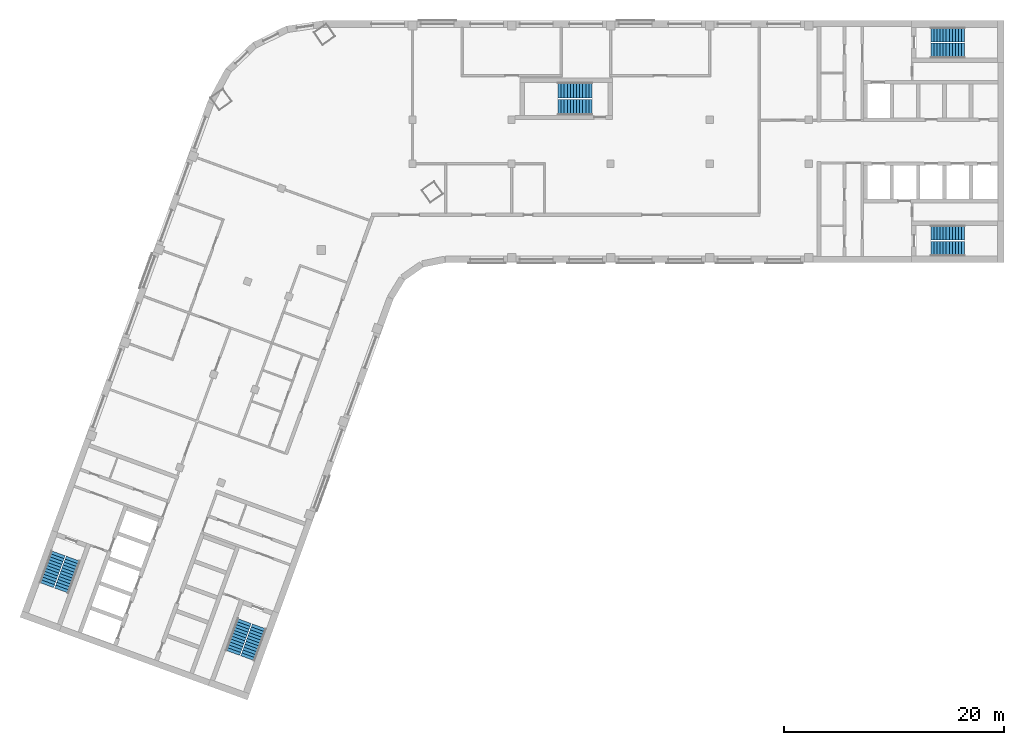
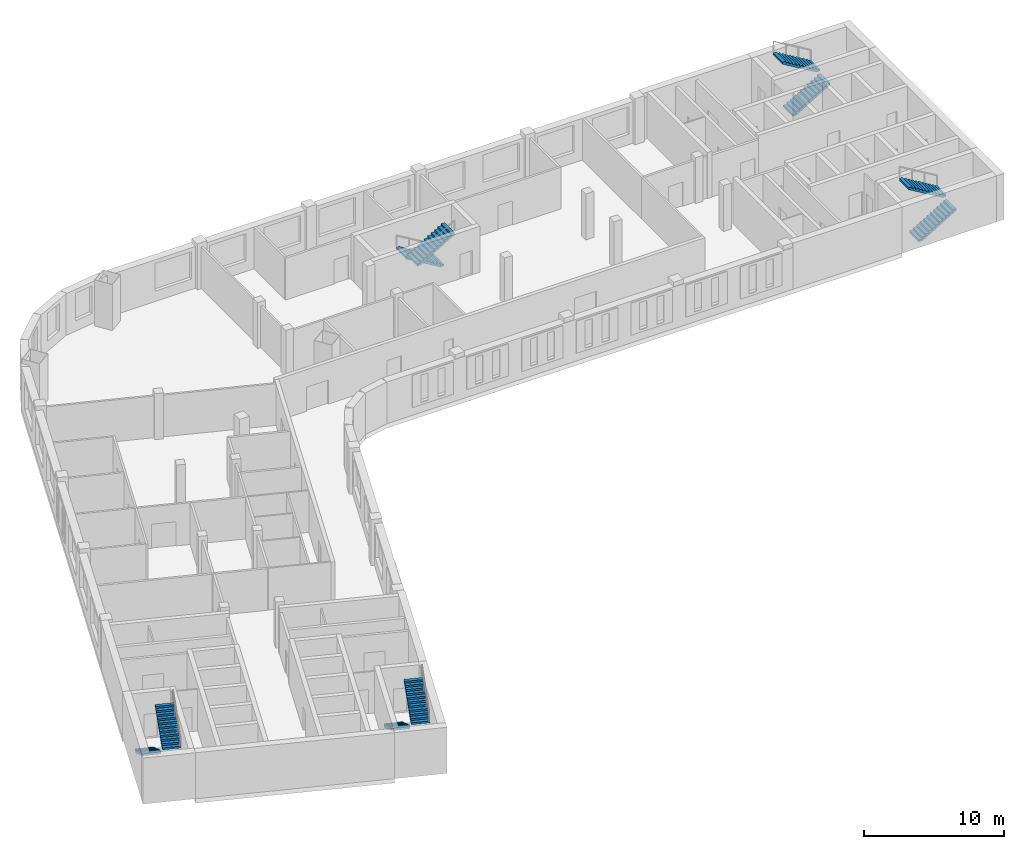
# One storey, part 7 of 8: 10 stair flights, 5 elements without a shape of their own.
"""IFC4 building model written with IfcOpenShell, lengths in metres."""

from ifc_helpers import new_model, si_unit, direction, frame, origin, place, context, subcontext, project, spatial, polyline, outline, extrude, material, type_object, element, aggregate, save


model = new_model("IFC4")

# Units and contexts
model_context = context("Model", 3, precision=1e-05, world=origin(), true_north=direction((0.0, 1.0)))
body_context = subcontext(model_context, "Body", "Model", "MODEL_VIEW")
ifc_project = project(units=[si_unit("LENGTHUNIT", "METRE"), si_unit("AREAUNIT", "SQUARE_METRE"), si_unit("VOLUMEUNIT", "CUBIC_METRE"), si_unit("PLANEANGLEUNIT", "RADIAN"), si_unit("MASSUNIT", "GRAM", prefix="KILO")], contexts=[model_context])

# Site, building, storey
site_placement = place(None, origin())
site = spatial("IfcSite", under=ifc_project, at=site_placement, CompositionType="ELEMENT")
building_placement = place(site_placement, origin())
building = spatial("IfcBuilding", under=site, at=building_placement, Name="Skarvind Civic Tower", CompositionType="ELEMENT")
storey_placement = place(building_placement, frame((0.0, 0.0, 170.5)))
storey = spatial("IfcBuildingStorey", under=building, at=storey_placement, Name="L40", CompositionType="ELEMENT", Elevation=170.5)

# Stair, stair flights
ifc_material = material(Name="Concrete C40/50", Category="concrete")
stair_type_1 = type_object("IfcStairType", Name="Exit stair 1450, half-turn, concrete", PredefinedType="HALF_TURN_STAIR", material=ifc_material)
stair_1_placement = place(storey_placement, origin())
stair_1 = element("IfcStair", 1, at=stair_1_placement, inside=storey, type_object=stair_type_1, Name="Exit stair CM", PredefinedType="HALF_TURN_STAIR")
stair_flight_type_1 = type_object("IfcStairFlightType", Name="Stair flight 1450, concrete", PredefinedType="STRAIGHT", material=ifc_material)
stair_flight_1_placement = place(storey_placement, frame((70.550048828125, 132.675048828125, 0.0), z_axis=(0.0, 0.0, 1.0), x_axis=(-1.0, 0.0, 0.0)))
stair_flight_1 = element("IfcStairFlight", 2, at=stair_flight_1_placement, type_object=stair_flight_type_1, Name="ST-CM flight 1", NumberOfRisers=12, NumberOfTreads=11, PredefinedType="STRAIGHT", RiserHeight=0.166666667, TreadLength=0.28, context=body_context, shape_type="SweptSolid", body=[
    extrude(outline(polyline([(0.0, 0.0), (0.0, 0.166748046875), (0.280029296875, 0.166748046875), (0.280029296875, 0.333251953125), (0.56005859375, 0.333251953125), (0.56005859375, 0.5), (0.840087890625, 0.5), (0.840087890625, 0.666748046875), (1.1201171875, 0.666748046875), (1.1201171875, 0.833251953125), (1.39990234375, 0.833251953125), (1.39990234375, 1.0), (1.679931640625, 1.0), (1.679931640625, 1.166748046875), (1.9599609375, 1.166748046875), (1.9599609375, 1.333251953125), (2.239990234375, 1.333251953125), (2.239990234375, 1.5), (2.52001953125, 1.5), (2.52001953125, 1.666748046875), (2.800048828125, 1.666748046875), (2.800048828125, 1.833251953125), (3.080078125, 1.833251953125), (3.080078125, 2.0), (3.080078125, 1.658935546875), (0.29296875, 0.0), (0.0, 0.0)])), frame((0.0, 0.72509765625, 0.0), z_axis=(0.0, -1.0, 0.0), x_axis=(1.0, 0.0, 0.0)), (0.0, 0.0, 1.0), 1.449951171875),
])
stair_flight_2_placement = place(storey_placement, frame((67.469970703125, 131.125, 2.0), z_axis=(0.0, 0.0, 1.0), x_axis=(1.0, 0.0, 0.0)))
stair_flight_2 = element("IfcStairFlight", 3, at=stair_flight_2_placement, type_object=stair_flight_type_1, Name="ST-CM flight 2", NumberOfRisers=12, NumberOfTreads=11, PredefinedType="STRAIGHT", RiserHeight=0.166666667, TreadLength=0.28, context=body_context, shape_type="SweptSolid", body=[
    extrude(outline(polyline([(0.0, 0.0), (0.0, 0.166748046875), (0.280029296875, 0.166748046875), (0.280029296875, 0.333251953125), (0.56005859375, 0.333251953125), (0.56005859375, 0.5), (0.840087890625, 0.5), (0.840087890625, 0.666748046875), (1.1201171875, 0.666748046875), (1.1201171875, 0.833251953125), (1.39990234375, 0.833251953125), (1.39990234375, 1.0), (1.679931640625, 1.0), (1.679931640625, 1.166748046875), (1.9599609375, 1.166748046875), (1.9599609375, 1.333251953125), (2.239990234375, 1.333251953125), (2.239990234375, 1.5), (2.52001953125, 1.5), (2.52001953125, 1.666748046875), (2.800048828125, 1.666748046875), (2.800048828125, 1.833251953125), (3.080078125, 1.833251953125), (3.080078125, 2.0), (3.080078125, 1.658935546875), (0.29296875, 0.0), (0.0, 0.0)])), frame((0.0, 0.72509765625, 0.0), z_axis=(0.0, -1.0, 0.0), x_axis=(1.0, 0.0, 0.0)), (0.0, 0.0, 1.0), 1.449951171875),
])
aggregate(stair_1, [stair_flight_1, stair_flight_2])

stair_type_2 = type_object("IfcStairType", Name="Exit stair, half-turn, concrete", PredefinedType="HALF_TURN_STAIR", material=ifc_material)
stair_2_placement = place(storey_placement, origin())
stair_2 = element("IfcStair", 4, at=stair_2_placement, inside=storey, type_object=stair_type_2, Name="Exit stair C1S", PredefinedType="HALF_TURN_STAIR")
stair_flight_type_2 = type_object("IfcStairFlightType", Name="Stair flight, concrete", PredefinedType="STRAIGHT", material=ifc_material)
stair_flight_3_placement = place(storey_placement, frame((101.35009765625, 136.27490234375, 0.0), z_axis=(0.0, 0.0, 1.0), x_axis=(1.0, 0.0, 0.0)))
stair_flight_3 = element("IfcStairFlight", 5, at=stair_flight_3_placement, type_object=stair_flight_type_2, Name="ST-C1S flight 1", NumberOfRisers=12, NumberOfTreads=11, PredefinedType="STRAIGHT", RiserHeight=0.166666667, TreadLength=0.28, context=body_context, shape_type="SweptSolid", body=[
    extrude(outline(polyline([(0.0, 0.0), (0.0, 0.166748046875), (0.280029296875, 0.166748046875), (0.280029296875, 0.333251953125), (0.56005859375, 0.333251953125), (0.56005859375, 0.5), (0.840087890625, 0.5), (0.840087890625, 0.666748046875), (1.1201171875, 0.666748046875), (1.1201171875, 0.833251953125), (1.39990234375, 0.833251953125), (1.39990234375, 1.0), (1.679931640625, 1.0), (1.679931640625, 1.166748046875), (1.9599609375, 1.166748046875), (1.9599609375, 1.333251953125), (2.239990234375, 1.333251953125), (2.239990234375, 1.5), (2.52001953125, 1.5), (2.52001953125, 1.666748046875), (2.800048828125, 1.666748046875), (2.800048828125, 1.833251953125), (3.080078125, 1.833251953125), (3.080078125, 2.0), (3.080078125, 1.658935546875), (0.29296875, 0.0), (0.0, 0.0)])), frame((0.0, 0.675048828125, 0.0), z_axis=(0.0, -1.0, 0.0), x_axis=(1.0, 0.0, 0.0)), (0.0, 0.0, 1.0), 1.35009765625),
])
stair_flight_4_placement = place(storey_placement, frame((104.429931640625, 137.72509765625, 2.0), z_axis=(0.0, 0.0, 1.0), x_axis=(-1.0, 0.0, 0.0)))
stair_flight_4 = element("IfcStairFlight", 6, at=stair_flight_4_placement, type_object=stair_flight_type_2, Name="ST-C1S flight 2", NumberOfRisers=12, NumberOfTreads=11, PredefinedType="STRAIGHT", RiserHeight=0.166666667, TreadLength=0.28, context=body_context, shape_type="SweptSolid", body=[
    extrude(outline(polyline([(0.0, 0.0), (0.0, 0.166748046875), (0.280029296875, 0.166748046875), (0.280029296875, 0.333251953125), (0.56005859375, 0.333251953125), (0.56005859375, 0.5), (0.840087890625, 0.5), (0.840087890625, 0.666748046875), (1.1201171875, 0.666748046875), (1.1201171875, 0.833251953125), (1.39990234375, 0.833251953125), (1.39990234375, 1.0), (1.679931640625, 1.0), (1.679931640625, 1.166748046875), (1.9599609375, 1.166748046875), (1.9599609375, 1.333251953125), (2.239990234375, 1.333251953125), (2.239990234375, 1.5), (2.52001953125, 1.5), (2.52001953125, 1.666748046875), (2.800048828125, 1.666748046875), (2.800048828125, 1.833251953125), (3.080078125, 1.833251953125), (3.080078125, 2.0), (3.080078125, 1.658935546875), (0.29296875, 0.0), (0.0, 0.0)])), frame((0.0, 0.675048828125, 0.0), z_axis=(0.0, -1.0, 0.0), x_axis=(1.0, 0.0, 0.0)), (0.0, 0.0, 1.0), 1.35009765625),
])
aggregate(stair_2, [stair_flight_3, stair_flight_4])

stair_3_placement = place(storey_placement, origin())
stair_3 = element("IfcStair", 7, at=stair_3_placement, inside=storey, type_object=stair_type_2, Name="Exit stair C1N", PredefinedType="HALF_TURN_STAIR")
stair_flight_5_placement = place(storey_placement, frame((101.35009765625, 118.27490234375, 0.0), z_axis=(0.0, 0.0, 1.0), x_axis=(1.0, 0.0, 0.0)))
stair_flight_5 = element("IfcStairFlight", 8, at=stair_flight_5_placement, type_object=stair_flight_type_2, Name="ST-C1N flight 1", NumberOfRisers=12, NumberOfTreads=11, PredefinedType="STRAIGHT", RiserHeight=0.166666667, TreadLength=0.28, context=body_context, shape_type="SweptSolid", body=[
    extrude(outline(polyline([(0.0, 0.0), (0.0, 0.166748046875), (0.280029296875, 0.166748046875), (0.280029296875, 0.333251953125), (0.56005859375, 0.333251953125), (0.56005859375, 0.5), (0.840087890625, 0.5), (0.840087890625, 0.666748046875), (1.1201171875, 0.666748046875), (1.1201171875, 0.833251953125), (1.39990234375, 0.833251953125), (1.39990234375, 1.0), (1.679931640625, 1.0), (1.679931640625, 1.166748046875), (1.9599609375, 1.166748046875), (1.9599609375, 1.333251953125), (2.239990234375, 1.333251953125), (2.239990234375, 1.5), (2.52001953125, 1.5), (2.52001953125, 1.666748046875), (2.800048828125, 1.666748046875), (2.800048828125, 1.833251953125), (3.080078125, 1.833251953125), (3.080078125, 2.0), (3.080078125, 1.658935546875), (0.29296875, 0.0), (0.0, 0.0)])), frame((0.0, 0.675048828125, 0.0), z_axis=(0.0, -1.0, 0.0), x_axis=(1.0, 0.0, 0.0)), (0.0, 0.0, 1.0), 1.35009765625),
])
stair_flight_6_placement = place(storey_placement, frame((104.429931640625, 119.72509765625, 2.0), z_axis=(0.0, 0.0, 1.0), x_axis=(-1.0, 0.0, 0.0)))
stair_flight_6 = element("IfcStairFlight", 9, at=stair_flight_6_placement, type_object=stair_flight_type_2, Name="ST-C1N flight 2", NumberOfRisers=12, NumberOfTreads=11, PredefinedType="STRAIGHT", RiserHeight=0.166666667, TreadLength=0.28, context=body_context, shape_type="SweptSolid", body=[
    extrude(outline(polyline([(0.0, 0.0), (0.0, 0.166748046875), (0.280029296875, 0.166748046875), (0.280029296875, 0.333251953125), (0.56005859375, 0.333251953125), (0.56005859375, 0.5), (0.840087890625, 0.5), (0.840087890625, 0.666748046875), (1.1201171875, 0.666748046875), (1.1201171875, 0.833251953125), (1.39990234375, 0.833251953125), (1.39990234375, 1.0), (1.679931640625, 1.0), (1.679931640625, 1.166748046875), (1.9599609375, 1.166748046875), (1.9599609375, 1.333251953125), (2.239990234375, 1.333251953125), (2.239990234375, 1.5), (2.52001953125, 1.5), (2.52001953125, 1.666748046875), (2.800048828125, 1.666748046875), (2.800048828125, 1.833251953125), (3.080078125, 1.833251953125), (3.080078125, 2.0), (3.080078125, 1.658935546875), (0.29296875, 0.0), (0.0, 0.0)])), frame((0.0, 0.675048828125, 0.0), z_axis=(0.0, -1.0, 0.0), x_axis=(1.0, 0.0, 0.0)), (0.0, 0.0, 1.0), 1.35009765625),
])
aggregate(stair_3, [stair_flight_5, stair_flight_6])

stair_4_placement = place(storey_placement, origin())
stair_4 = element("IfcStair", 10, at=stair_4_placement, inside=storey, type_object=stair_type_2, Name="Exit stair C2S", PredefinedType="HALF_TURN_STAIR")
stair_flight_7_placement = place(storey_placement, frame((38.949462890625, 84.43408203125, 0.0), z_axis=(0.0, 0.0, 1.0), x_axis=(-0.342020143326, -0.939692620786, 0.0)))
stair_flight_7 = element("IfcStairFlight", 11, at=stair_flight_7_placement, type_object=stair_flight_type_2, Name="ST-C2S flight 1", NumberOfRisers=12, NumberOfTreads=11, PredefinedType="STRAIGHT", RiserHeight=0.166666667, TreadLength=0.28, context=body_context, shape_type="SweptSolid", body=[
    extrude(outline(polyline([(0.0, 0.0), (0.0, 0.166748046875), (0.280029296875, 0.166748046875), (0.280029296875, 0.333251953125), (0.56005859375, 0.333251953125), (0.56005859375, 0.5), (0.840087890625, 0.5), (0.840087890625, 0.666748046875), (1.1201171875, 0.666748046875), (1.1201171875, 0.833251953125), (1.39990234375, 0.833251953125), (1.39990234375, 1.0), (1.679931640625, 1.0), (1.679931640625, 1.166748046875), (1.9599609375, 1.166748046875), (1.9599609375, 1.333251953125), (2.239990234375, 1.333251953125), (2.239990234375, 1.5), (2.52001953125, 1.5), (2.52001953125, 1.666748046875), (2.800048828125, 1.666748046875), (2.800048828125, 1.833251953125), (3.080078125, 1.833251953125), (3.080078125, 2.0), (3.080078125, 1.658935546875), (0.29296875, 0.0), (0.0, 0.0)])), frame((0.0, 0.675048828125, 0.0), z_axis=(0.0, -1.0, 0.0), x_axis=(1.0, 0.0, 0.0)), (0.0, 0.0, 1.0), 1.35009765625),
])
stair_flight_8_placement = place(storey_placement, frame((39.258544921875, 81.0439453125, 2.0), z_axis=(0.0, 0.0, 1.0), x_axis=(0.342020143326, 0.939692620786, 0.0)))
stair_flight_8 = element("IfcStairFlight", 12, at=stair_flight_8_placement, type_object=stair_flight_type_2, Name="ST-C2S flight 2", NumberOfRisers=12, NumberOfTreads=11, PredefinedType="STRAIGHT", RiserHeight=0.166666667, TreadLength=0.28, context=body_context, shape_type="SweptSolid", body=[
    extrude(outline(polyline([(0.0, 0.0), (0.0, 0.166748046875), (0.280029296875, 0.166748046875), (0.280029296875, 0.333251953125), (0.56005859375, 0.333251953125), (0.56005859375, 0.5), (0.840087890625, 0.5), (0.840087890625, 0.666748046875), (1.1201171875, 0.666748046875), (1.1201171875, 0.833251953125), (1.39990234375, 0.833251953125), (1.39990234375, 1.0), (1.679931640625, 1.0), (1.679931640625, 1.166748046875), (1.9599609375, 1.166748046875), (1.9599609375, 1.333251953125), (2.239990234375, 1.333251953125), (2.239990234375, 1.5), (2.52001953125, 1.5), (2.52001953125, 1.666748046875), (2.800048828125, 1.666748046875), (2.800048828125, 1.833251953125), (3.080078125, 1.833251953125), (3.080078125, 2.0), (3.080078125, 1.658935546875), (0.29296875, 0.0), (0.0, 0.0)])), frame((0.0, 0.675048828125, 0.0), z_axis=(0.0, -1.0, 0.0), x_axis=(1.0, 0.0, 0.0)), (0.0, 0.0, 1.0), 1.35009765625),
])
aggregate(stair_4, [stair_flight_7, stair_flight_8])

stair_5_placement = place(storey_placement, origin())
stair_5 = element("IfcStair", 13, at=stair_5_placement, inside=storey, type_object=stair_type_2, Name="Exit stair C2N", PredefinedType="HALF_TURN_STAIR")
stair_flight_9_placement = place(storey_placement, frame((22.034912109375, 90.590576171875, 0.0), z_axis=(0.0, 0.0, 1.0), x_axis=(-0.342020143326, -0.939692620786, 0.0)))
stair_flight_9 = element("IfcStairFlight", 14, at=stair_flight_9_placement, type_object=stair_flight_type_2, Name="ST-C2N flight 1", NumberOfRisers=12, NumberOfTreads=11, PredefinedType="STRAIGHT", RiserHeight=0.166666667, TreadLength=0.28, context=body_context, shape_type="SweptSolid", body=[
    extrude(outline(polyline([(0.0, 0.0), (0.0, 0.166748046875), (0.280029296875, 0.166748046875), (0.280029296875, 0.333251953125), (0.56005859375, 0.333251953125), (0.56005859375, 0.5), (0.840087890625, 0.5), (0.840087890625, 0.666748046875), (1.1201171875, 0.666748046875), (1.1201171875, 0.833251953125), (1.39990234375, 0.833251953125), (1.39990234375, 1.0), (1.679931640625, 1.0), (1.679931640625, 1.166748046875), (1.9599609375, 1.166748046875), (1.9599609375, 1.333251953125), (2.239990234375, 1.333251953125), (2.239990234375, 1.5), (2.52001953125, 1.5), (2.52001953125, 1.666748046875), (2.800048828125, 1.666748046875), (2.800048828125, 1.833251953125), (3.080078125, 1.833251953125), (3.080078125, 2.0), (3.080078125, 1.658935546875), (0.29296875, 0.0), (0.0, 0.0)])), frame((0.0, 0.675048828125, 0.0), z_axis=(0.0, -1.0, 0.0), x_axis=(1.0, 0.0, 0.0)), (0.0, 0.0, 1.0), 1.35009765625),
])
stair_flight_10_placement = place(storey_placement, frame((22.343994140625, 87.2001953125, 2.0), z_axis=(0.0, 0.0, 1.0), x_axis=(0.342020143326, 0.939692620786, 0.0)))
stair_flight_10 = element("IfcStairFlight", 15, at=stair_flight_10_placement, type_object=stair_flight_type_2, Name="ST-C2N flight 2", NumberOfRisers=12, NumberOfTreads=11, PredefinedType="STRAIGHT", RiserHeight=0.166666667, TreadLength=0.28, context=body_context, shape_type="SweptSolid", body=[
    extrude(outline(polyline([(0.0, 0.0), (0.0, 0.166748046875), (0.280029296875, 0.166748046875), (0.280029296875, 0.333251953125), (0.56005859375, 0.333251953125), (0.56005859375, 0.5), (0.840087890625, 0.5), (0.840087890625, 0.666748046875), (1.1201171875, 0.666748046875), (1.1201171875, 0.833251953125), (1.39990234375, 0.833251953125), (1.39990234375, 1.0), (1.679931640625, 1.0), (1.679931640625, 1.166748046875), (1.9599609375, 1.166748046875), (1.9599609375, 1.333251953125), (2.239990234375, 1.333251953125), (2.239990234375, 1.5), (2.52001953125, 1.5), (2.52001953125, 1.666748046875), (2.800048828125, 1.666748046875), (2.800048828125, 1.833251953125), (3.080078125, 1.833251953125), (3.080078125, 2.0), (3.080078125, 1.658935546875), (0.29296875, 0.0), (0.0, 0.0)])), frame((0.0, 0.675048828125, 0.0), z_axis=(0.0, -1.0, 0.0), x_axis=(1.0, 0.0, 0.0)), (0.0, 0.0, 1.0), 1.35009765625),
])
aggregate(stair_5, [stair_flight_9, stair_flight_10])

save(model, "model.ifc")
